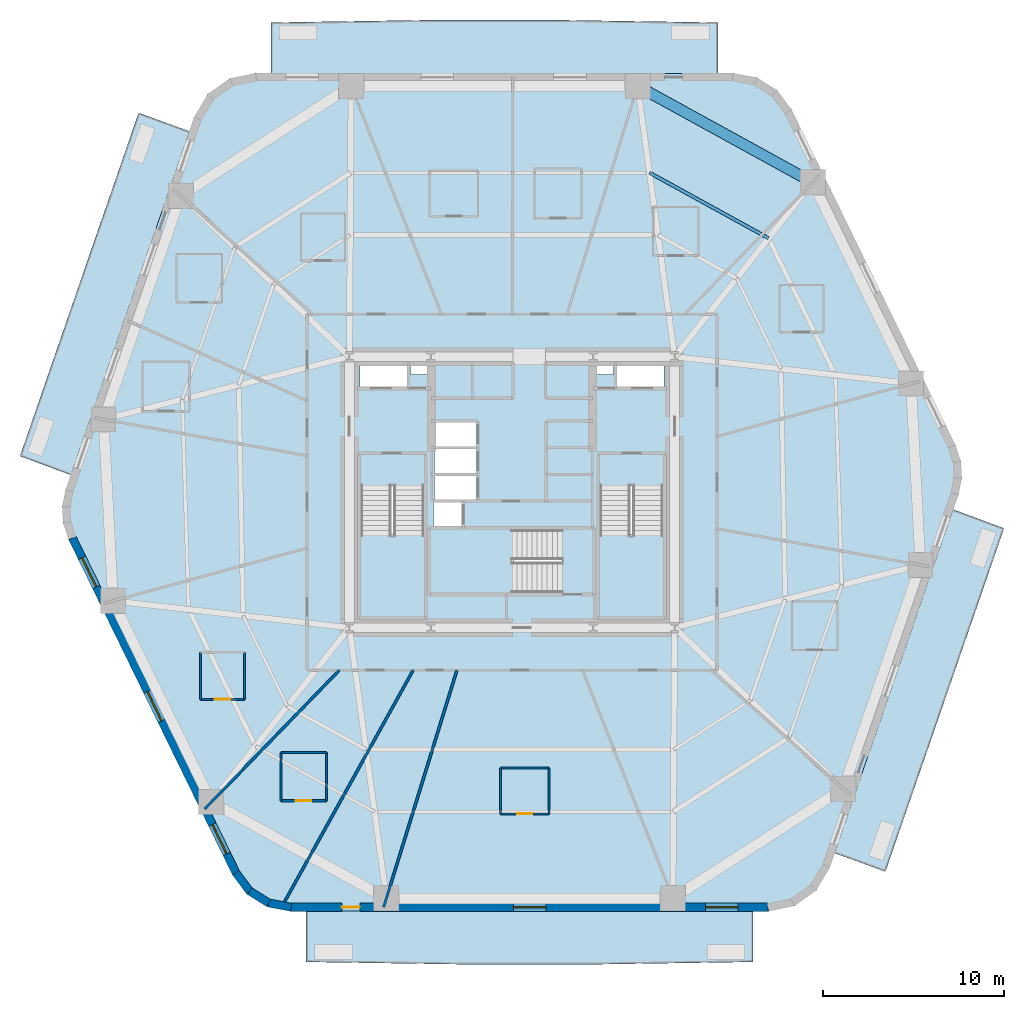
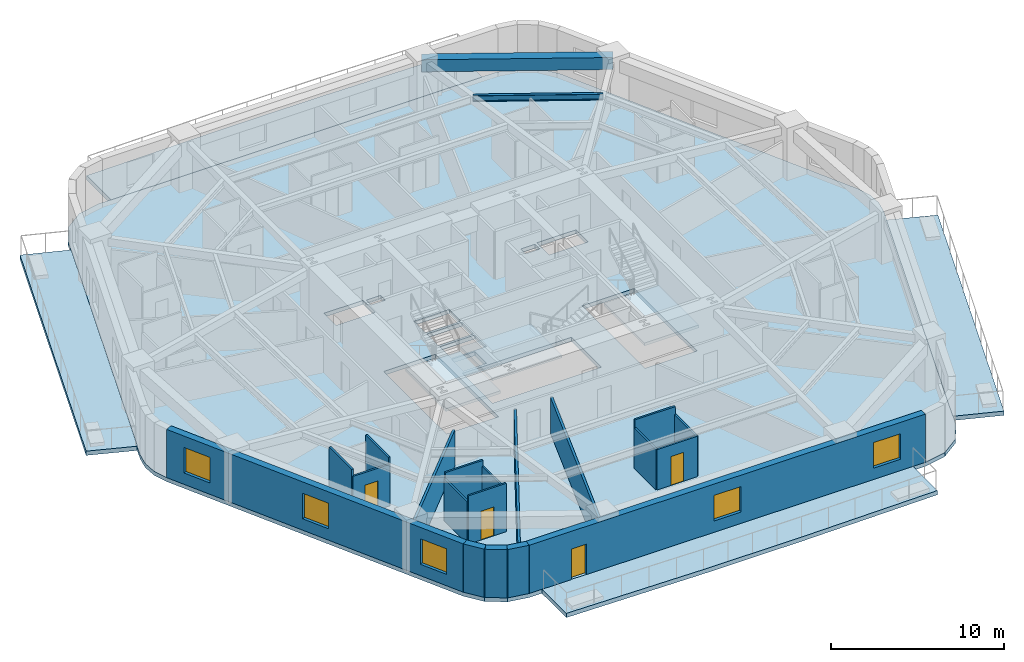
# One storey, part 2 of 10: 19 walls, 8 slabs, 5 windows, 4 doors, 2 beams, 9 openings, 3 elements without a shape of their own.
"""IFC4 building model written with IfcOpenShell, lengths in metres."""

from ifc_helpers import new_model, si_unit, direction, frame, frame_2d, origin, origin_2d, place, context, subcontext, project, spatial, polyline, rectangle, i_section, outline, extrude, material, layer, layer_set, material_profile, profile_set, type_object, element, fill, aggregate, save


model = new_model("IFC4")

# Units and contexts
model_context = context("Model", 3, precision=1e-05, world=origin(), true_north=direction((0.0, 1.0)))
body_context = subcontext(model_context, "Body", "Model", "MODEL_VIEW")
ifc_project = project(units=[si_unit("LENGTHUNIT", "METRE"), si_unit("AREAUNIT", "SQUARE_METRE"), si_unit("VOLUMEUNIT", "CUBIC_METRE"), si_unit("PLANEANGLEUNIT", "RADIAN"), si_unit("MASSUNIT", "GRAM", prefix="KILO")], contexts=[model_context])

# Site, building, storey
site_placement = place(None, origin())
site = spatial("IfcSite", under=ifc_project, at=site_placement, CompositionType="ELEMENT")
building_placement = place(site_placement, origin())
building = spatial("IfcBuilding", under=site, at=building_placement, Name="Kilnhurst Terrace Hotel", CompositionType="ELEMENT")
storey_placement = place(building_placement, frame((0.0, 0.0, 67.5)))
storey = spatial("IfcBuildingStorey", under=building, at=storey_placement, Name="L15", CompositionType="ELEMENT", Elevation=67.5)

# Beams
ifc_material_1 = material(Name="Concrete C50/60", Category="concrete")
ifc_material_profile_1 = material_profile(ifc_material_1, rectangle(XDim=0.60009765625, YDim=0.85009765625, at=origin_2d()), Name="RC600X850")
ifc_profile_set_1 = profile_set([ifc_material_profile_1], Name="Concrete C50/60")
beam_type_1 = type_object("IfcBeamType", Name="BM-SPN-600X850", PredefinedType="SPANDREL", material=ifc_profile_set_1)
beam_1_placement = place(storey_placement, frame((16.64306640625, 17.152099609375, 2.97509765625), z_axis=(-0.876235488803, 0.481883147829, 0.0), x_axis=(-0.481883147829, -0.876235488803, 0.0)))
element("IfcBeam", 1, at=beam_1_placement, inside=storey, type_object=beam_type_1, Name="L15 Perimeter Spandrel Beam 6", PredefinedType="SPANDREL", context=body_context, shape_type="SweptSolid", body=[
    extrude(rectangle(XDim=0.60009765625, YDim=0.85009765625, at=origin_2d()), origin(), (0.0, 0.0, 1.0), 11.056396484375),
])
ifc_material_2 = material(Name="Steel ASTM A992 Grade 50", Category="steel")
ifc_material_profile_2 = material_profile(ifc_material_2, i_section(OverallWidth=0.180908203125, OverallDepth=0.417236328125, WebThickness=0.010986328125, FlangeThickness=0.018310546875, at=origin_2d()), Name="W16X57")
ifc_profile_set_2 = profile_set([ifc_material_profile_2], Name="Steel ASTM A992 Grade 50")
beam_type_2 = type_object("IfcBeamType", Name="JST-STL-W16X57", PredefinedType="JOIST", material=ifc_profile_set_2)
beam_2_placement = place(storey_placement, frame((14.197265625, 14.0634765625, 3.19091796875), z_axis=(-0.876246073632, 0.481863900334, 0.0), x_axis=(-0.481863900334, -0.876246073632, 0.0)))
element("IfcBeam", 2, at=beam_2_placement, inside=storey, type_object=beam_type_2, Name="L15 Secondary Floor Steel Joist OUT.6", PredefinedType="JOIST", context=body_context, shape_type="SweptSolid", body=[
    extrude(i_section(OverallWidth=0.180908203125, OverallDepth=0.417236328125, WebThickness=0.010986328125, FlangeThickness=0.018310546875, at=origin_2d()), origin(), (0.0, 0.0, 1.0), 7.518310546875),
])

# Slabs
ifc_layer_1 = layer(ifc_material_1, 0.300048828125, Name="Concrete C50/60")
ifc_layer_set_1 = layer_set([ifc_layer_1], Name="Concrete C50/60")
slab_type_1 = type_object("IfcSlabType", Name="SLB-BAL-300", PredefinedType="FLOOR", material=ifc_layer_set_1)
slab_1_placement = place(storey_placement, frame((0.0, 0.0, -0.300048828125)))
element("IfcSlab", 3, at=slab_1_placement, inside=storey, type_object=slab_type_1, Name="L15 Cantilevered Planted Terrace Slab BAL-L1A", PredefinedType="FLOOR", context=body_context, shape_type="SweptSolid", body=[
    extrude(outline(polyline([(4.229248046875, -26.139892578125), (-2.279541015625, -26.139892578125), (-11.39208984375, -26.0), (-11.39208984375, -23.179931640625), (13.341552734375, -23.179931640625), (13.341552734375, -26.0), (4.229248046875, -26.139892578125)])), origin(), (0.0, 0.0, 1.0), 0.300048828125),
])
slab_2_placement = place(storey_placement, frame((0.0, 0.0, -0.300048828125)))
element("IfcSlab", 4, at=slab_2_placement, inside=storey, type_object=slab_type_1, Name="L15 Cantilevered Planted Terrace Slab BAL-L1B", PredefinedType="FLOOR", context=body_context, shape_type="SweptSolid", body=[
    extrude(outline(polyline([(20.670166015625, -21.0), (17.84912109375, -19.975341796875), (24.410888671875, -0.9501953125), (27.23388671875, -2.0), (23.98046875, -11.4296875), (20.670166015625, -21.0)])), origin(), (0.0, 0.0, 1.0), 0.300048828125),
])
slab_3_placement = place(storey_placement, frame((0.0, 0.0, -0.300048828125)))
element("IfcSlab", 5, at=slab_3_placement, inside=storey, type_object=slab_type_1, Name="L15 Cantilevered Planted Terrace Slab BAL-L2A", PredefinedType="FLOOR", context=body_context, shape_type="SweptSolid", body=[
    extrude(outline(polyline([(2.279541015625, 26.139892578125), (11.39208984375, 26.0), (11.39208984375, 23.179931640625), (-13.341552734375, 23.179931640625), (-13.341552734375, 26.0), (-4.229248046875, 26.139892578125), (2.279541015625, 26.139892578125)])), origin(), (0.0, 0.0, 1.0), 0.300048828125),
])
slab_4_placement = place(storey_placement, frame((0.0, 0.0, -0.300048828125)))
element("IfcSlab", 6, at=slab_4_placement, inside=storey, type_object=slab_type_1, Name="L15 Cantilevered Planted Terrace Slab BAL-L2B", PredefinedType="FLOOR", context=body_context, shape_type="SweptSolid", body=[
    extrude(outline(polyline([(-20.670166015625, 21.0), (-17.84912109375, 19.975341796875), (-24.410888671875, 0.9501953125), (-27.23388671875, 2.0), (-23.98046875, 11.4296875), (-20.670166015625, 21.0)])), origin(), (0.0, 0.0, 1.0), 0.300048828125),
])
ifc_layer_2 = layer(ifc_material_1, 0.280029296875, Name="Concrete C50/60")
ifc_layer_set_2 = layer_set([ifc_layer_2], Name="Concrete C50/60")
slab_type_2 = type_object("IfcSlabType", Name="SLB-FLR-280", PredefinedType="FLOOR", material=ifc_layer_set_2)
slab_5_placement = place(storey_placement, frame((0.0, 0.0, -0.280029296875)))
element("IfcSlab", 7, at=slab_5_placement, inside=storey, type_object=slab_type_2, Name="L15 Structural Floor Slab", PredefinedType="FLOOR", context=body_context, shape_type="SweptSolid", body=[
    extrude(outline(polyline([(-15.476806640625, -21.18017578125), (-14.680908203125, -22.248046875), (-13.551025390625, -22.95361328125), (-12.241943359375, -23.199951171875), (14.191650390625, -23.199951171875), (15.635986328125, -22.8974609375), (16.837890625, -22.040771484375), (17.5947265625, -20.773681640625), (24.712890625, -0.135986328125), (24.90087890625, 0.7861328125), (24.843505859375, 1.7255859375), (24.54443359375, 2.617919921875), (15.476806640625, 21.18017578125), (14.680908203125, 22.248046875), (13.551025390625, 22.95361328125), (12.241943359375, 23.199951171875), (-14.191650390625, 23.199951171875), (-15.635986328125, 22.8974609375), (-16.837890625, 22.040771484375), (-17.5947265625, 20.773681640625), (-24.712890625, 0.135986328125), (-24.90087890625, -0.7861328125), (-24.843505859375, -1.7255859375), (-24.54443359375, -2.617919921875), (-15.476806640625, -21.18017578125)]), holes=[polyline([(-8.35009765625, 0.35498046875), (-4.8798828125, 0.35498046875), (-4.8798828125, -6.89990234375), (-8.35009765625, -6.89990234375), (-8.35009765625, 0.35498046875)]), polyline([(-2.800048828125, -1.89990234375), (-4.35009765625, -1.89990234375), (-4.35009765625, -0.550048828125), (-2.800048828125, -0.550048828125), (-2.800048828125, -1.89990234375)]), polyline([(-1.949951171875, -0.429931640625), (-4.300048828125, -0.429931640625), (-4.300048828125, 0.89990234375), (-1.949951171875, 0.89990234375), (-1.949951171875, -0.429931640625)]), polyline([(-4.300048828125, 1.050048828125), (-4.300048828125, 2.3798828125), (-1.949951171875, 2.3798828125), (-1.949951171875, 1.050048828125), (-4.300048828125, 1.050048828125)]), polyline([(-8.39990234375, 5.75), (-8.39990234375, 7.14990234375), (-5.800048828125, 7.14990234375), (-5.800048828125, 5.75), (-8.39990234375, 5.75)]), polyline([(-4.659912109375, 6.52001953125), (-5.6201171875, 6.52001953125), (-5.6201171875, 7.080078125), (-4.659912109375, 7.080078125), (-4.659912109375, 6.52001953125)]), polyline([(2.7548828125, -5.550048828125), (-4.5, -5.550048828125), (-4.5, -2.080078125), (2.7548828125, -2.080078125), (2.7548828125, -5.550048828125)]), polyline([(8.35009765625, 0.35498046875), (8.35009765625, -6.89990234375), (4.8798828125, -6.89990234375), (4.8798828125, 0.35498046875), (8.35009765625, 0.35498046875)]), polyline([(-1.949951171875, 2.530029296875), (-4.300048828125, 2.530029296875), (-4.300048828125, 3.860107421875), (-1.949951171875, 3.860107421875), (-1.949951171875, 2.530029296875)]), polyline([(5.800048828125, 5.75), (5.800048828125, 7.14990234375), (8.39990234375, 7.14990234375), (8.39990234375, 5.75), (5.800048828125, 5.75)]), polyline([(4.659912109375, 6.52001953125), (4.659912109375, 7.080078125), (5.6201171875, 7.080078125), (5.6201171875, 6.52001953125), (4.659912109375, 6.52001953125)])]), origin(), (0.0, 0.0, 1.0), 0.280029296875),
])

# Stair, slab
stair_type = type_object("IfcStairType", Name="STR-CORE-1660", PredefinedType="HALF_TURN_STAIR", material=ifc_material_1)
stair_1_placement = place(storey_placement, origin())
stair_1 = element("IfcStair", 8, at=stair_1_placement, inside=storey, type_object=stair_type, Name="L15 ST-1", PredefinedType="HALF_TURN_STAIR")
ifc_layer_3 = layer(ifc_material_1, 0.199951171875, Name="Concrete C50/60")
ifc_layer_set_3 = layer_set([ifc_layer_3], Name="Concrete C50/60")
slab_type_3 = type_object("IfcSlabType", Name="SLB-ST-LND-200", PredefinedType="LANDING", material=ifc_layer_set_3)
slab_6_placement = place(storey_placement, frame((0.0, 0.0, 1.64990234375)))
slab_6 = element("IfcSlab", 9, at=slab_6_placement, type_object=slab_type_3, Name="ST-1 landing 1", PredefinedType="LANDING", context=body_context, shape_type="SweptSolid", body=[
    extrude(outline(polyline([(-8.429931640625, -2.330078125), (-4.800048828125, -2.330078125), (-4.800048828125, -6.97998046875), (-8.429931640625, -6.97998046875), (-8.429931640625, -2.330078125)])), origin(), (0.0, 0.0, 1.0), 0.2001953125),
])
aggregate(stair_1, [slab_6])

stair_2_placement = place(storey_placement, origin())
stair_2 = element("IfcStair", 10, at=stair_2_placement, inside=storey, type_object=stair_type, Name="L15 ST-2", PredefinedType="HALF_TURN_STAIR")
slab_7_placement = place(storey_placement, frame((0.0, 0.0, 1.64990234375)))
slab_7 = element("IfcSlab", 11, at=slab_7_placement, type_object=slab_type_3, Name="ST-2 landing 1", PredefinedType="LANDING", context=body_context, shape_type="SweptSolid", body=[
    extrude(outline(polyline([(4.800048828125, -2.330078125), (8.429931640625, -2.330078125), (8.429931640625, -6.97998046875), (4.800048828125, -6.97998046875), (4.800048828125, -2.330078125)])), origin(), (0.0, 0.0, 1.0), 0.2001953125),
])
aggregate(stair_2, [slab_7])

stair_3_placement = place(storey_placement, origin())
stair_3 = element("IfcStair", 12, at=stair_3_placement, inside=storey, type_object=stair_type, Name="L15 ST-3", PredefinedType="HALF_TURN_STAIR")
slab_8_placement = place(storey_placement, frame((0.0, 0.0, 1.64990234375)))
slab_8 = element("IfcSlab", 13, at=slab_8_placement, type_object=slab_type_3, Name="ST-3 landing 1", PredefinedType="LANDING", context=body_context, shape_type="SweptSolid", body=[
    extrude(outline(polyline([(0.070068359375, -2.0), (0.070068359375, -5.6298828125), (-4.580078125, -5.6298828125), (-4.580078125, -2.0), (0.070068359375, -2.0)])), origin(), (0.0, 0.0, 1.0), 0.2001953125),
])
aggregate(stair_3, [slab_8])

# Walls
ifc_material_3 = material(Name="Precast concrete C40/50", Category="concrete")
ifc_layer_4 = layer(ifc_material_3, 0.449951171875, Name="Precast concrete C40/50")
ifc_layer_set_4 = layer_set([ifc_layer_4], Name="Precast concrete C40/50")
wall_type_1 = type_object("IfcWallType", Name="WL-BRK-450", PredefinedType="SOLIDWALL", material=ifc_layer_set_4)
wall_1_placement = place(storey_placement, frame((-15.28369140625, -21.0625, 0.0), z_axis=(0.0, 0.0, 1.0), x_axis=(0.597595366449, -0.801797841104, 0.0)))
element("IfcWall", 14, at=wall_1_placement, inside=storey, type_object=wall_type_1, Name="L15 Rounded Corner Brick Wall C1.1", PredefinedType="SOLIDWALL", context=body_context, shape_type="SweptSolid", body=[
    extrude(rectangle(XDim=1.2685546875, YDim=0.449951171875, at=frame_2d((0.63427734375, 0.0))), origin(), (0.0, 0.0, 1.0), 3.39990234375),
])
wall_2_placement = place(storey_placement, frame((-14.525634765625, -22.07958984375, 0.0), z_axis=(0.0, 0.0, 1.0), x_axis=(0.848185203596, -0.529699783275, 0.0)))
element("IfcWall", 15, at=wall_2_placement, inside=storey, type_object=wall_type_1, Name="L15 Rounded Corner Brick Wall C1.2", PredefinedType="SOLIDWALL", context=body_context, shape_type="SweptSolid", body=[
    extrude(rectangle(XDim=1.247314453125, YDim=0.449951171875, at=frame_2d((0.62353515625, 0.0))), origin(), (0.0, 0.0, 1.0), 3.39990234375),
])
wall_3_placement = place(storey_placement, frame((-13.4677734375, -22.740234375, 0.0), z_axis=(0.0, 0.0, 1.0), x_axis=(0.982717174228, -0.185113358451, 0.0)))
element("IfcWall", 16, at=wall_3_placement, inside=storey, type_object=wall_type_1, Name="L15 Rounded Corner Brick Wall C1.3", PredefinedType="SOLIDWALL", context=body_context, shape_type="SweptSolid", body=[
    extrude(rectangle(XDim=1.268798828125, YDim=0.449951171875, at=frame_2d((0.63427734375, 0.0))), origin(), (0.0, 0.0, 1.0), 3.39990234375),
])

# Wall, openings, door, windows
wall_4_placement = place(storey_placement, frame((-12.220947265625, -22.97509765625, 0.0), z_axis=(0.0, 0.0, 1.0), x_axis=(1.0, 0.0, 0.0)))
wall_4 = element("IfcWall", 17, at=wall_4_placement, inside=storey, type_object=wall_type_1, Name="L15 Exterior Brick Facade Wall F1", PredefinedType="SOLIDWALL", context=body_context, shape_type="SweptSolid", body=[
    extrude(rectangle(XDim=26.38916015625, YDim=0.449951171875, at=frame_2d((13.194580078125, 0.0))), origin(), (0.0, 0.0, 1.0), 3.39990234375),
])
opening_1_placement = place(wall_4_placement, frame((2.799072265625, 0.0, 0.0)))
opening_1 = element("IfcOpeningElement", 18, at=opening_1_placement, cuts=wall_4, Name="Opening BD-1000", PredefinedType="OPENING", context=body_context, shape_type="SweptSolid", body=[
    extrude(rectangle(XDim=1.0, YDim=2.14990234375, at=frame_2d((0.5, 1.074951171875))), frame((0.0, 0.23486328125, 0.0), z_axis=(0.0, -1.0, 0.0), x_axis=(1.0, 0.0, 0.0)), (0.0, 0.0, 1.0), 0.469970703125),
])
opening_2_placement = place(wall_4_placement, frame((12.2958984375, 0.0, 0.800048828125)))
opening_2 = element("IfcOpeningElement", 19, at=opening_2_placement, cuts=wall_4, Name="Opening W-01", PredefinedType="OPENING", context=body_context, shape_type="SweptSolid", body=[
    extrude(rectangle(XDim=1.800048828125, YDim=1.800048828125, at=frame_2d((0.89990234375, 0.89990234375))), frame((0.0, 0.23486328125, 0.0), z_axis=(0.0, -1.0, 0.0), x_axis=(1.0, 0.0, 0.0)), (0.0, 0.0, 1.0), 0.469970703125),
])
opening_3_placement = place(wall_4_placement, frame((22.93798828125, 0.0, 0.800048828125)))
opening_3 = element("IfcOpeningElement", 20, at=opening_3_placement, cuts=wall_4, Name="Opening W-01", PredefinedType="OPENING", context=body_context, shape_type="SweptSolid", body=[
    extrude(rectangle(XDim=1.800048828125, YDim=1.800048828125, at=frame_2d((0.89990234375, 0.89990234375))), frame((0.0, 0.23486328125, 0.0), z_axis=(0.0, -1.0, 0.0), x_axis=(1.0, 0.0, 0.0)), (0.0, 0.0, 1.0), 0.469970703125),
])
ifc_material_4 = material(Name="Thermally Broken Bronze Aluminium Alloy 6063-T6 and Laminated Glass", Category="aluminium")
door_type_1 = type_object("IfcDoorType", Name="DR-EXT-BAL-1000", OperationType="NOTDEFINED", PredefinedType="DOOR", material=ifc_material_4)
door_1_placement = place(opening_1_placement, origin())
door_1 = element("IfcDoor", 21, at=door_1_placement, inside=storey, type_object=door_type_1, Name="L15 Planted Balcony Door BAL-L1A", OperationType="SINGLE_SWING_LEFT", OverallHeight=2.14990234375, OverallWidth=1.0, PredefinedType="DOOR", context=body_context, shape_type="SweptSolid", body=[
    extrude(rectangle(XDim=1.0, YDim=2.14990234375, at=frame_2d((0.5, 1.074951171875))), frame((0.0, 0.02490234375, 0.0), z_axis=(0.0, -1.0, 0.0), x_axis=(1.0, 0.0, 0.0)), (0.0, 0.0, 1.0), 0.050048828125),
])
fill(opening_1, door_1)
ifc_material_5 = material(Name="Thermally Broken Bronze Aluminium Alloy 6063-T6 and Low-E Glass", Category="aluminium")
window_type = type_object("IfcWindowType", Name="WIN-1800X1800", PartitioningType="SINGLE_PANEL", PredefinedType="WINDOW", material=ifc_material_5)
window_1_placement = place(opening_2_placement, origin())
window_1 = element("IfcWindow", 22, at=window_1_placement, inside=storey, type_object=window_type, Name="L15 Deep-Set Masonry Window F1.1", OverallHeight=1.800048828125, OverallWidth=1.800048828125, PartitioningType="SINGLE_PANEL", PredefinedType="WINDOW", context=body_context, shape_type="SweptSolid", body=[
    extrude(rectangle(XDim=1.800048828125, YDim=1.800048828125, at=frame_2d((0.89990234375, 0.89990234375))), frame((0.0, 0.030029296875, 0.0), z_axis=(0.0, -1.0, 0.0), x_axis=(1.0, 0.0, 0.0)), (0.0, 0.0, 1.0), 0.06005859375),
])
fill(opening_2, window_1)
window_2_placement = place(opening_3_placement, origin())
window_2 = element("IfcWindow", 23, at=window_2_placement, inside=storey, type_object=window_type, Name="L15 Deep-Set Masonry Window F1.2", OverallHeight=1.800048828125, OverallWidth=1.800048828125, PartitioningType="SINGLE_PANEL", PredefinedType="WINDOW", context=body_context, shape_type="SweptSolid", body=[
    extrude(rectangle(XDim=1.800048828125, YDim=1.800048828125, at=frame_2d((0.89990234375, 0.89990234375))), frame((0.0, 0.030029296875, 0.0), z_axis=(0.0, -1.0, 0.0), x_axis=(1.0, 0.0, 0.0)), (0.0, 0.0, 1.0), 0.06005859375),
])
fill(opening_3, window_2)

# Wall, openings, windows
wall_5_placement = place(storey_placement, frame((-24.335693359375, -2.532470703125, 0.0), z_axis=(0.0, 0.0, 1.0), x_axis=(0.438931326393, -0.898520612291, 0.0)))
wall_5 = element("IfcWall", 24, at=wall_5_placement, inside=storey, type_object=wall_type_1, Name="L15 Exterior Brick Facade Wall F6", PredefinedType="SOLIDWALL", context=body_context, shape_type="SweptSolid", body=[
    extrude(rectangle(XDim=20.622802734375, YDim=0.449951171875, at=frame_2d((10.3115234375, 0.0))), origin(), (0.0, 0.0, 1.0), 3.39990234375),
])
opening_4_placement = place(wall_5_placement, frame((1.214111328125, 0.0, 0.800048828125)))
opening_4 = element("IfcOpeningElement", 25, at=opening_4_placement, cuts=wall_5, Name="Opening W-01", PredefinedType="OPENING", context=body_context, shape_type="SweptSolid", body=[
    extrude(rectangle(XDim=1.800048828125, YDim=1.800048828125, at=frame_2d((0.89990234375, 0.89990234375))), frame((0.0, 0.23486328125, 0.0), z_axis=(0.0, -1.0, 0.0), x_axis=(1.0, 0.0, 0.0)), (0.0, 0.0, 1.0), 0.469970703125),
])
opening_5_placement = place(wall_5_placement, frame((9.4619140625, 0.0, 0.800048828125)))
opening_5 = element("IfcOpeningElement", 26, at=opening_5_placement, cuts=wall_5, Name="Opening W-01", PredefinedType="OPENING", context=body_context, shape_type="SweptSolid", body=[
    extrude(rectangle(XDim=1.800048828125, YDim=1.800048828125, at=frame_2d((0.89990234375, 0.89990234375))), frame((0.0, 0.23486328125, 0.0), z_axis=(0.0, -1.0, 0.0), x_axis=(1.0, 0.0, 0.0)), (0.0, 0.0, 1.0), 0.469970703125),
])
opening_6_placement = place(wall_5_placement, frame((17.659912109375, 0.0, 0.800048828125)))
opening_6 = element("IfcOpeningElement", 27, at=opening_6_placement, cuts=wall_5, Name="Opening W-01", PredefinedType="OPENING", context=body_context, shape_type="SweptSolid", body=[
    extrude(rectangle(XDim=1.800048828125, YDim=1.800048828125, at=frame_2d((0.89990234375, 0.89990234375))), frame((0.0, 0.23486328125, 0.0), z_axis=(0.0, -1.0, 0.0), x_axis=(1.0, 0.0, 0.0)), (0.0, 0.0, 1.0), 0.469970703125),
])
window_3_placement = place(opening_4_placement, origin())
window_3 = element("IfcWindow", 28, at=window_3_placement, inside=storey, type_object=window_type, Name="L15 Deep-Set Masonry Window F6.1", OverallHeight=1.800048828125, OverallWidth=1.800048828125, PartitioningType="SINGLE_PANEL", PredefinedType="WINDOW", context=body_context, shape_type="SweptSolid", body=[
    extrude(rectangle(XDim=1.800048828125, YDim=1.800048828125, at=frame_2d((0.89990234375, 0.89990234375))), frame((0.0, 0.030029296875, 0.0), z_axis=(0.0, -1.0, 0.0), x_axis=(1.0, 0.0, 0.0)), (0.0, 0.0, 1.0), 0.06005859375),
])
fill(opening_4, window_3)
window_4_placement = place(opening_5_placement, origin())
window_4 = element("IfcWindow", 29, at=window_4_placement, inside=storey, type_object=window_type, Name="L15 Deep-Set Masonry Window F6.2", OverallHeight=1.800048828125, OverallWidth=1.800048828125, PartitioningType="SINGLE_PANEL", PredefinedType="WINDOW", context=body_context, shape_type="SweptSolid", body=[
    extrude(rectangle(XDim=1.800048828125, YDim=1.800048828125, at=frame_2d((0.89990234375, 0.89990234375))), frame((0.0, 0.030029296875, 0.0), z_axis=(0.0, -1.0, 0.0), x_axis=(1.0, 0.0, 0.0)), (0.0, 0.0, 1.0), 0.06005859375),
])
fill(opening_5, window_4)
window_5_placement = place(opening_6_placement, origin())
window_5 = element("IfcWindow", 30, at=window_5_placement, inside=storey, type_object=window_type, Name="L15 Deep-Set Masonry Window F6.3", OverallHeight=1.800048828125, OverallWidth=1.800048828125, PartitioningType="SINGLE_PANEL", PredefinedType="WINDOW", context=body_context, shape_type="SweptSolid", body=[
    extrude(rectangle(XDim=1.800048828125, YDim=1.800048828125, at=frame_2d((0.89990234375, 0.89990234375))), frame((0.0, 0.030029296875, 0.0), z_axis=(0.0, -1.0, 0.0), x_axis=(1.0, 0.0, 0.0)), (0.0, 0.0, 1.0), 0.06005859375),
])
fill(opening_6, window_5)

# Walls
ifc_material_6 = material(Name="STC-58 Acoustic Twin-Frame Guestroom Demising Partition")
ifc_layer_5 = layer(ifc_material_6, 0.14990234375, Name="STC-58 Acoustic Twin-Frame Guestroom Demising Partition")
ifc_layer_set_5 = layer_set([ifc_layer_5], Name="STC-58 Acoustic Twin-Frame Guestroom Demising Partition")
wall_type_2 = type_object("IfcWallType", Name="WL-DEM-150", PredefinedType="PARTITIONING", material=ifc_layer_set_5)
wall_6_placement = place(storey_placement, frame((-9.5576171875, -9.85009765625, 0.0), z_axis=(0.0, 0.0, 1.0), x_axis=(-0.69638346089, -0.717669893056, 0.0)))
element("IfcWall", 31, at=wall_6_placement, inside=storey, type_object=wall_type_2, Name="L15 Interior Wall WL-L15-DEM-COL08-10-1", PredefinedType="PARTITIONING", context=body_context, shape_type="SweptSolid", body=[
    extrude(rectangle(XDim=10.700927734375, YDim=0.14990234375, at=frame_2d((5.3505859375, 0.0))), origin(), (0.0, 0.0, 1.0), 2.5400390625),
])
wall_7_placement = place(storey_placement, frame((-5.470703125, -9.85009765625, 0.0), z_axis=(0.0, 0.0, 1.0), x_axis=(-0.48553323157, -0.874218211341, 0.0)))
element("IfcWall", 32, at=wall_7_placement, inside=storey, type_object=wall_type_2, Name="L15 Interior Wall WL-L15-DEM-MID08-11-1", PredefinedType="PARTITIONING", context=body_context, shape_type="SweptSolid", body=[
    extrude(rectangle(XDim=14.739501953125, YDim=0.14990234375, at=frame_2d((7.36962890625, 0.0))), origin(), (0.0, 0.0, 1.0), 2.5400390625),
])
wall_8_placement = place(storey_placement, frame((-3.047607421875, -9.85009765625, 0.0), z_axis=(0.0, 0.0, 1.0), x_axis=(-0.295553992761, -0.955326037206, 0.0)))
element("IfcWall", 33, at=wall_8_placement, inside=storey, type_object=wall_type_2, Name="L15 Interior Wall WL-L15-DEM-COL09-12-1", PredefinedType="PARTITIONING", context=body_context, shape_type="SweptSolid", body=[
    extrude(rectangle(XDim=13.73876953125, YDim=0.14990234375, at=frame_2d((6.869384765625, 0.0))), origin(), (0.0, 0.0, 1.0), 2.5400390625),
])

# Wall, opening, door
ifc_material_7 = material(Name="120 mm Moisture-Resistant Tile-Backed Bathroom Partition")
ifc_layer_6 = layer(ifc_material_7, 0.1201171875, Name="120 mm Moisture-Resistant Tile-Backed Bathroom Partition")
ifc_layer_set_6 = layer_set([ifc_layer_6], Name="120 mm Moisture-Resistant Tile-Backed Bathroom Partition")
wall_type_3 = type_object("IfcWallType", Name="WL-PART-120", PredefinedType="PARTITIONING", material=ifc_layer_set_6)
wall_9_placement = place(storey_placement, frame((-17.243896484375, -11.469970703125, 0.0), z_axis=(0.0, 0.0, 1.0), x_axis=(1.0, 0.0, 0.0)))
wall_9 = element("IfcWall", 34, at=wall_9_placement, inside=storey, type_object=wall_type_3, Name="L15 Interior Wall WL-L15-BTH-09-1", PredefinedType="PARTITIONING", context=body_context, shape_type="SweptSolid", body=[
    extrude(rectangle(XDim=2.43994140625, YDim=0.1201171875, at=frame_2d((1.219970703125, 0.0))), origin(), (0.0, 0.0, 1.0), 2.926513671875),
])
opening_7_placement = place(wall_9_placement, frame((0.794921875, 0.0, 0.0)))
opening_7 = element("IfcOpeningElement", 35, at=opening_7_placement, cuts=wall_9, Name="Opening D-08A", PredefinedType="OPENING", context=body_context, shape_type="SweptSolid", body=[
    extrude(rectangle(XDim=0.85009765625, YDim=2.030029296875, at=frame_2d((0.425048828125, 1.01513671875))), frame((0.0, 0.070068359375, 0.0), z_axis=(0.0, -1.0, 0.0), x_axis=(1.0, 0.0, 0.0)), (0.0, 0.0, 1.0), 0.14013671875),
])
ifc_material_8 = material(Name="Moisture-Resistant Lacquered En-suite Bathroom Door")
door_type_2 = type_object("IfcDoorType", Name="DR-INT-850", OperationType="NOTDEFINED", PredefinedType="DOOR", material=ifc_material_8)
door_2_placement = place(opening_7_placement, origin())
door_2 = element("IfcDoor", 36, at=door_2_placement, inside=storey, type_object=door_type_2, Name="L15 En-suite Bathroom Door 9", OperationType="SINGLE_SWING_RIGHT", OverallHeight=2.030029296875, OverallWidth=0.85009765625, PredefinedType="DOOR", context=body_context, shape_type="SweptSolid", body=[
    extrude(rectangle(XDim=0.85009765625, YDim=2.030029296875, at=frame_2d((0.425048828125, 1.01513671875))), frame((0.0, 0.02490234375, 0.0), z_axis=(0.0, -1.0, 0.0), x_axis=(1.0, 0.0, 0.0)), (0.0, 0.0, 1.0), 0.050048828125),
])
fill(opening_7, door_2)

# Walls
for number, where, z_axis, x_axis, name in (
    (37, (-14.803955078125, -11.469970703125, 0.0), (0.0, 0.0, 1.0), (0.0, 1.0, 0.0), "L15 Interior Wall WL-L15-BTH-09-2"),
    (38, (-17.243896484375, -8.860107421875, 0.0), (0.0, 0.0, 1.0), (0.0, -1.0, 0.0), "L15 Interior Wall WL-L15-BTH-09-4"),
):
    element("IfcWall", number, at=place(storey_placement, frame(where, z_axis=z_axis, x_axis=x_axis)), inside=storey, type_object=wall_type_3, Name=name, PredefinedType="PARTITIONING", context=body_context, shape_type="SweptSolid", body=[
        extrude(rectangle(XDim=2.60986328125, YDim=0.1201171875, at=frame_2d((1.304931640625, 0.0))), origin(), (0.0, 0.0, 1.0), 3.39990234375),
    ])

# Wall, opening, door
wall_10_placement = place(storey_placement, frame((-12.794921875, -17.0810546875, 0.0), z_axis=(0.0, 0.0, 1.0), x_axis=(1.0, 0.0, 0.0)))
wall_10 = element("IfcWall", 39, at=wall_10_placement, inside=storey, type_object=wall_type_3, Name="L15 Interior Wall WL-L15-BTH-10-1", PredefinedType="PARTITIONING", context=body_context, shape_type="SweptSolid", body=[
    extrude(rectangle(XDim=2.52001953125, YDim=0.1201171875, at=frame_2d((1.260009765625, 0.0))), origin(), (0.0, 0.0, 1.0), 3.39990234375),
])
opening_8_placement = place(wall_10_placement, frame((0.8349609375, 0.0, 0.0)))
opening_8 = element("IfcOpeningElement", 40, at=opening_8_placement, cuts=wall_10, Name="Opening D-08A", PredefinedType="OPENING", context=body_context, shape_type="SweptSolid", body=[
    extrude(rectangle(XDim=0.85009765625, YDim=2.030029296875, at=frame_2d((0.425048828125, 1.01513671875))), frame((0.0, 0.070068359375, 0.0), z_axis=(0.0, -1.0, 0.0), x_axis=(1.0, 0.0, 0.0)), (0.0, 0.0, 1.0), 0.14013671875),
])
door_3_placement = place(opening_8_placement, origin())
door_3 = element("IfcDoor", 41, at=door_3_placement, inside=storey, type_object=door_type_2, Name="L15 En-suite Bathroom Door 10", OperationType="SINGLE_SWING_LEFT", OverallHeight=2.030029296875, OverallWidth=0.85009765625, PredefinedType="DOOR", context=body_context, shape_type="SweptSolid", body=[
    extrude(rectangle(XDim=0.85009765625, YDim=2.030029296875, at=frame_2d((0.425048828125, 1.01513671875))), frame((0.0, 0.02490234375, 0.0), z_axis=(0.0, -1.0, 0.0), x_axis=(1.0, 0.0, 0.0)), (0.0, 0.0, 1.0), 0.050048828125),
])
fill(opening_8, door_3)

# Walls
wall_11_placement = place(storey_placement, frame((-10.27490234375, -17.0810546875, 0.0), z_axis=(0.0, 0.0, 1.0), x_axis=(0.0, 1.0, 0.0)))
element("IfcWall", 42, at=wall_11_placement, inside=storey, type_object=wall_type_3, Name="L15 Interior Wall WL-L15-BTH-10-2", PredefinedType="PARTITIONING", context=body_context, shape_type="SweptSolid", body=[
    extrude(rectangle(XDim=2.68017578125, YDim=0.1201171875, at=frame_2d((1.340087890625, 0.0))), origin(), (0.0, 0.0, 1.0), 2.972412109375),
])
wall_12_placement = place(storey_placement, frame((-10.27490234375, -14.40087890625, 0.0), z_axis=(0.0, 0.0, 1.0), x_axis=(-1.0, 0.0, 0.0)))
element("IfcWall", 43, at=wall_12_placement, inside=storey, type_object=wall_type_3, Name="L15 Interior Wall WL-L15-BTH-10-3", PredefinedType="PARTITIONING", context=body_context, shape_type="SweptSolid", body=[
    extrude(rectangle(XDim=2.52001953125, YDim=0.1201171875, at=frame_2d((1.260009765625, 0.0))), origin(), (0.0, 0.0, 1.0), 3.39990234375),
])
wall_13_placement = place(storey_placement, frame((-12.794921875, -14.40087890625, 0.0), z_axis=(0.0, 0.0, 1.0), x_axis=(0.0, -1.0, 0.0)))
element("IfcWall", 44, at=wall_13_placement, inside=storey, type_object=wall_type_3, Name="L15 Interior Wall WL-L15-BTH-10-4", PredefinedType="PARTITIONING", context=body_context, shape_type="SweptSolid", body=[
    extrude(rectangle(XDim=2.68017578125, YDim=0.1201171875, at=frame_2d((1.340087890625, 0.0))), origin(), (0.0, 0.0, 1.0), 2.972412109375),
])

# Wall, opening, door
wall_14_placement = place(storey_placement, frame((-0.637939453125, -17.806884765625, 0.0), z_axis=(0.0, 0.0, 1.0), x_axis=(1.0, 0.0, 0.0)))
wall_14 = element("IfcWall", 45, at=wall_14_placement, inside=storey, type_object=wall_type_3, Name="L15 Interior Wall WL-L15-BTH-12-1", PredefinedType="PARTITIONING", context=body_context, shape_type="SweptSolid", body=[
    extrude(rectangle(XDim=2.679931640625, YDim=0.1201171875, at=frame_2d((1.33984375, 0.0))), origin(), (0.0, 0.0, 1.0), 2.84033203125),
])
opening_9_placement = place(wall_14_placement, frame((0.9150390625, 0.0, 0.0)))
opening_9 = element("IfcOpeningElement", 46, at=opening_9_placement, cuts=wall_14, Name="Opening D-08A", PredefinedType="OPENING", context=body_context, shape_type="SweptSolid", body=[
    extrude(rectangle(XDim=0.85009765625, YDim=2.030029296875, at=frame_2d((0.425048828125, 1.01513671875))), frame((0.0, 0.070068359375, 0.0), z_axis=(0.0, -1.0, 0.0), x_axis=(1.0, 0.0, 0.0)), (0.0, 0.0, 1.0), 0.14013671875),
])
door_4_placement = place(opening_9_placement, origin())
door_4 = element("IfcDoor", 47, at=door_4_placement, inside=storey, type_object=door_type_2, Name="L15 En-suite Bathroom Door 12", OperationType="SINGLE_SWING_LEFT", OverallHeight=2.030029296875, OverallWidth=0.85009765625, PredefinedType="DOOR", context=body_context, shape_type="SweptSolid", body=[
    extrude(rectangle(XDim=0.85009765625, YDim=2.030029296875, at=frame_2d((0.425048828125, 1.01513671875))), frame((0.0, 0.02490234375, 0.0), z_axis=(0.0, -1.0, 0.0), x_axis=(1.0, 0.0, 0.0)), (0.0, 0.0, 1.0), 0.050048828125),
])
fill(opening_9, door_4)

# Walls
wall_15_placement = place(storey_placement, frame((2.0419921875, -17.806884765625, 0.0), z_axis=(0.0, 0.0, 1.0), x_axis=(0.0, 1.0, 0.0)))
element("IfcWall", 48, at=wall_15_placement, inside=storey, type_object=wall_type_3, Name="L15 Interior Wall WL-L15-BTH-12-2", PredefinedType="PARTITIONING", context=body_context, shape_type="SweptSolid", body=[
    extrude(rectangle(XDim=2.539794921875, YDim=0.1201171875, at=frame_2d((1.27001953125, 0.0))), origin(), (0.0, 0.0, 1.0), 2.84033203125),
])
wall_16_placement = place(storey_placement, frame((2.0419921875, -15.26708984375, 0.0), z_axis=(0.0, 0.0, 1.0), x_axis=(-1.0, 0.0, 0.0)))
element("IfcWall", 49, at=wall_16_placement, inside=storey, type_object=wall_type_3, Name="L15 Interior Wall WL-L15-BTH-12-3", PredefinedType="PARTITIONING", context=body_context, shape_type="SweptSolid", body=[
    extrude(rectangle(XDim=2.679931640625, YDim=0.1201171875, at=frame_2d((1.33984375, 0.0))), origin(), (0.0, 0.0, 1.0), 3.39990234375),
])
wall_17_placement = place(storey_placement, frame((-0.637939453125, -15.26708984375, 0.0), z_axis=(0.0, 0.0, 1.0), x_axis=(0.0, -1.0, 0.0)))
element("IfcWall", 50, at=wall_17_placement, inside=storey, type_object=wall_type_3, Name="L15 Interior Wall WL-L15-BTH-12-4", PredefinedType="PARTITIONING", context=body_context, shape_type="SweptSolid", body=[
    extrude(rectangle(XDim=2.539794921875, YDim=0.1201171875, at=frame_2d((1.27001953125, 0.0))), origin(), (0.0, 0.0, 1.0), 2.84033203125),
])

save(model, "model.ifc")
